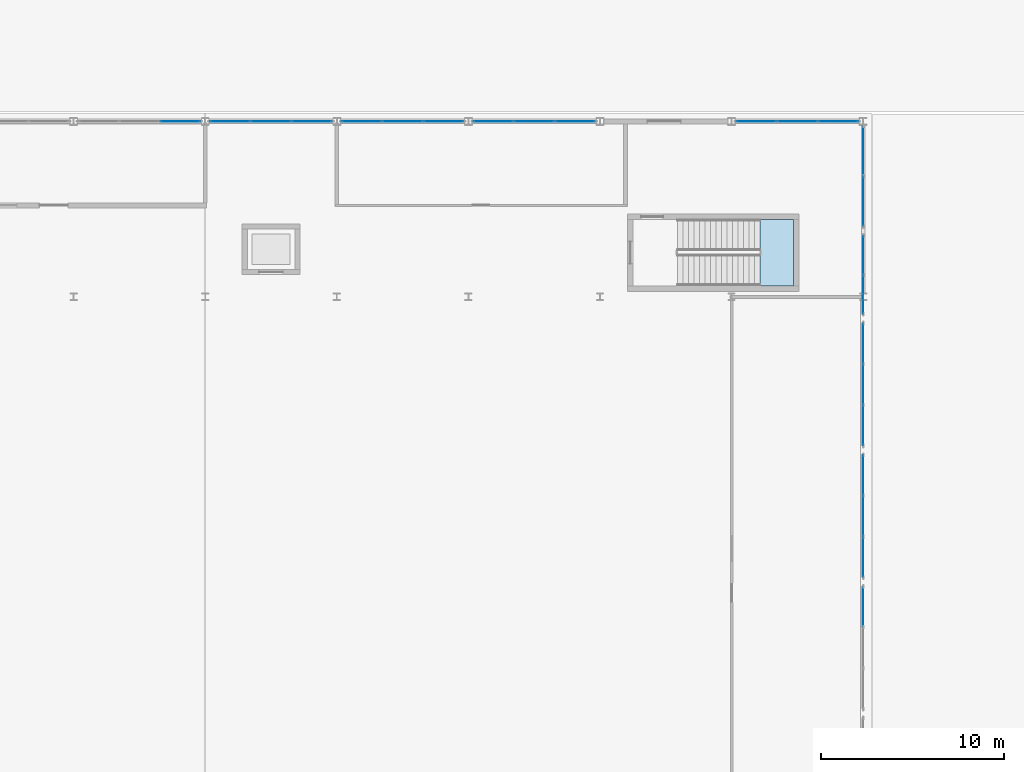
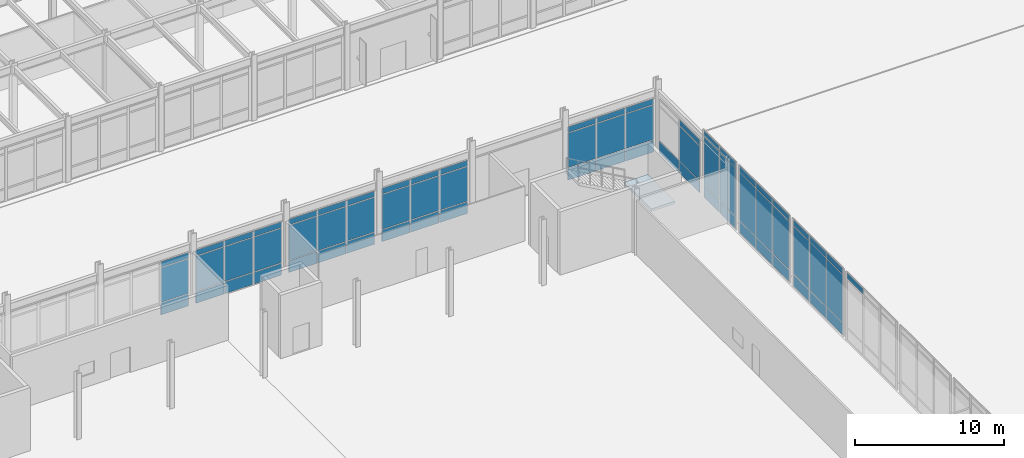
# One storey, part 60 of 104: 68 plates, 1 slab, 11 elements without a shape of their own.
"""IFC4 building model written with IfcOpenShell, lengths in metres."""

from ifc_helpers import new_model, si_unit, direction, frame, origin, origin_2d, place, context, subcontext, project, spatial, polyline, rectangle, outline, extrude, material, layer, layer_set, type_object, element, aggregate, save


model = new_model("IFC4")

# Units and contexts
model_context = context("Model", 3, precision=1e-05, world=origin(), true_north=direction((0.0, 1.0)))
body_context = subcontext(model_context, "Body", "Model", "MODEL_VIEW")
ifc_project = project(units=[si_unit("LENGTHUNIT", "METRE"), si_unit("AREAUNIT", "SQUARE_METRE"), si_unit("VOLUMEUNIT", "CUBIC_METRE"), si_unit("PLANEANGLEUNIT", "RADIAN"), si_unit("MASSUNIT", "GRAM", prefix="KILO")], contexts=[model_context])

# Site, building, storey
site_placement = place(None, origin())
site = spatial("IfcSite", under=ifc_project, at=site_placement, CompositionType="ELEMENT")
building_placement = place(site_placement, origin())
building = spatial("IfcBuilding", under=site, at=building_placement, Name="Vaelcorin Mobility Hub", CompositionType="ELEMENT")
storey_placement = place(building_placement, origin())
storey = spatial("IfcBuildingStorey", under=building, at=storey_placement, Name="L00", CompositionType="ELEMENT", Elevation=0.0)

# Curtain wall, plates
ifc_material_1 = material(Name="Anodised aluminium 6063-T6", Category="aluminium")
curtain_wall_type = type_object("IfcCurtainWallType", Name="CW-CONC-B", PredefinedType="NOTDEFINED", material=ifc_material_1)
curtain_wall_1_placement = place(storey_placement, origin())
curtain_wall_1 = element("IfcCurtainWall", 1, at=curtain_wall_1_placement, inside=storey, type_object=curtain_wall_type, Name="L00 Curtain Wall CW-V1-N-05", PredefinedType="NOTDEFINED")
ifc_material_2 = material(Name="Low-E solar-control insulated glazing", Category="glass")
ifc_layer_1 = layer(ifc_material_2, 0.031982421875)
ifc_layer_set_1 = layer_set([ifc_layer_1], Name="Low-E solar-control insulated glazing")
plate_type = type_object("IfcPlateType", Name="CW-PAN-GLZ32", PredefinedType="CURTAIN_PANEL", material=ifc_layer_set_1)
plate_1_placement = place(storey_placement, frame((70.638427734375, 60.0, 0.06005859375), z_axis=(0.0, 0.0, 1.0), x_axis=(1.0, 0.0, 0.0)))
plate_1 = element("IfcPlate", 2, at=plate_1_placement, type_object=plate_type, Name="CW2 panel 3.1", PredefinedType="CURTAIN_PANEL", context=body_context, shape_type="SweptSolid", body=[
    extrude(rectangle(XDim=2.163330078125, YDim=0.028076171875, at=origin_2d()), origin(), (0.0, 0.0, 1.0), 0.9599609375),
])
plate_2_placement = place(storey_placement, frame((70.638427734375, 60.0, 1.080078125), z_axis=(0.0, 0.0, 1.0), x_axis=(1.0, 0.0, 0.0)))
plate_2 = element("IfcPlate", 3, at=plate_2_placement, type_object=plate_type, Name="CW2 panel 3.2", PredefinedType="CURTAIN_PANEL", context=body_context, shape_type="SweptSolid", body=[
    extrude(rectangle(XDim=2.163330078125, YDim=0.028076171875, at=origin_2d()), origin(), (0.0, 0.0, 1.0), 2.822021484375),
])
plate_3_placement = place(storey_placement, frame((70.638427734375, 60.0, 3.9619140625), z_axis=(0.0, 0.0, 1.0), x_axis=(1.0, 0.0, 0.0)))
plate_3 = element("IfcPlate", 4, at=plate_3_placement, type_object=plate_type, Name="CW2 panel 3.3", PredefinedType="CURTAIN_PANEL", context=body_context, shape_type="SweptSolid", body=[
    extrude(rectangle(XDim=2.163330078125, YDim=0.028076171875, at=origin_2d()), origin(), (0.0, 0.0, 1.0), 0.4599609375),
])
aggregate(curtain_wall_1, [plate_1, plate_2, plate_3])

curtain_wall_2_placement = place(storey_placement, origin())
curtain_wall_2 = element("IfcCurtainWall", 5, at=curtain_wall_2_placement, inside=storey, type_object=curtain_wall_type, Name="L00 Curtain Wall CW-V1-N-06", PredefinedType="NOTDEFINED")
plate_4_placement = place(storey_placement, frame((73.361572265625, 60.0, 0.06005859375), z_axis=(0.0, 0.0, 1.0), x_axis=(1.0, 0.0, 0.0)))
plate_4 = element("IfcPlate", 6, at=plate_4_placement, type_object=plate_type, Name="CW2 panel 1.1", PredefinedType="CURTAIN_PANEL", context=body_context, shape_type="SweptSolid", body=[
    extrude(rectangle(XDim=2.163330078125, YDim=0.028076171875, at=origin_2d()), origin(), (0.0, 0.0, 1.0), 0.9599609375),
])
plate_5_placement = place(storey_placement, frame((73.361572265625, 60.0, 1.080078125), z_axis=(0.0, 0.0, 1.0), x_axis=(1.0, 0.0, 0.0)))
plate_5 = element("IfcPlate", 7, at=plate_5_placement, type_object=plate_type, Name="CW2 panel 1.2", PredefinedType="CURTAIN_PANEL", context=body_context, shape_type="SweptSolid", body=[
    extrude(rectangle(XDim=2.163330078125, YDim=0.028076171875, at=origin_2d()), origin(), (0.0, 0.0, 1.0), 2.822021484375),
])
plate_6_placement = place(storey_placement, frame((73.361572265625, 60.0, 3.9619140625), z_axis=(0.0, 0.0, 1.0), x_axis=(1.0, 0.0, 0.0)))
plate_6 = element("IfcPlate", 8, at=plate_6_placement, type_object=plate_type, Name="CW2 panel 1.3", PredefinedType="CURTAIN_PANEL", context=body_context, shape_type="SweptSolid", body=[
    extrude(rectangle(XDim=2.163330078125, YDim=0.028076171875, at=origin_2d()), origin(), (0.0, 0.0, 1.0), 0.4599609375),
])
plate_7_placement = place(storey_placement, frame((75.60009765625, 60.0, 0.06005859375), z_axis=(0.0, 0.0, 1.0), x_axis=(1.0, 0.0, 0.0)))
plate_7 = element("IfcPlate", 9, at=plate_7_placement, type_object=plate_type, Name="CW2 panel 2.1", PredefinedType="CURTAIN_PANEL", context=body_context, shape_type="SweptSolid", body=[
    extrude(rectangle(XDim=2.193359375, YDim=0.028076171875, at=origin_2d()), origin(), (0.0, 0.0, 1.0), 0.9599609375),
])
plate_8_placement = place(storey_placement, frame((75.60009765625, 60.0, 1.080078125), z_axis=(0.0, 0.0, 1.0), x_axis=(1.0, 0.0, 0.0)))
plate_8 = element("IfcPlate", 10, at=plate_8_placement, type_object=plate_type, Name="CW2 panel 2.2", PredefinedType="CURTAIN_PANEL", context=body_context, shape_type="SweptSolid", body=[
    extrude(rectangle(XDim=2.193359375, YDim=0.028076171875, at=origin_2d()), origin(), (0.0, 0.0, 1.0), 2.822021484375),
])
plate_9_placement = place(storey_placement, frame((75.60009765625, 60.0, 3.9619140625), z_axis=(0.0, 0.0, 1.0), x_axis=(1.0, 0.0, 0.0)))
plate_9 = element("IfcPlate", 11, at=plate_9_placement, type_object=plate_type, Name="CW2 panel 2.3", PredefinedType="CURTAIN_PANEL", context=body_context, shape_type="SweptSolid", body=[
    extrude(rectangle(XDim=2.193359375, YDim=0.028076171875, at=origin_2d()), origin(), (0.0, 0.0, 1.0), 0.4599609375),
])
plate_10_placement = place(storey_placement, frame((77.83837890625, 60.0, 0.06005859375), z_axis=(0.0, 0.0, 1.0), x_axis=(1.0, 0.0, 0.0)))
plate_10 = element("IfcPlate", 12, at=plate_10_placement, type_object=plate_type, Name="CW2 panel 3.1", PredefinedType="CURTAIN_PANEL", context=body_context, shape_type="SweptSolid", body=[
    extrude(rectangle(XDim=2.163330078125, YDim=0.028076171875, at=origin_2d()), origin(), (0.0, 0.0, 1.0), 0.9599609375),
])
plate_11_placement = place(storey_placement, frame((77.83837890625, 60.0, 1.080078125), z_axis=(0.0, 0.0, 1.0), x_axis=(1.0, 0.0, 0.0)))
plate_11 = element("IfcPlate", 13, at=plate_11_placement, type_object=plate_type, Name="CW2 panel 3.2", PredefinedType="CURTAIN_PANEL", context=body_context, shape_type="SweptSolid", body=[
    extrude(rectangle(XDim=2.163330078125, YDim=0.028076171875, at=origin_2d()), origin(), (0.0, 0.0, 1.0), 2.822021484375),
])
plate_12_placement = place(storey_placement, frame((77.83837890625, 60.0, 3.9619140625), z_axis=(0.0, 0.0, 1.0), x_axis=(1.0, 0.0, 0.0)))
plate_12 = element("IfcPlate", 14, at=plate_12_placement, type_object=plate_type, Name="CW2 panel 3.3", PredefinedType="CURTAIN_PANEL", context=body_context, shape_type="SweptSolid", body=[
    extrude(rectangle(XDim=2.163330078125, YDim=0.028076171875, at=origin_2d()), origin(), (0.0, 0.0, 1.0), 0.4599609375),
])
aggregate(curtain_wall_2, [plate_4, plate_5, plate_6, plate_7, plate_8, plate_9, plate_10, plate_11, plate_12])

curtain_wall_3_placement = place(storey_placement, origin())
curtain_wall_3 = element("IfcCurtainWall", 15, at=curtain_wall_3_placement, inside=storey, type_object=curtain_wall_type, Name="L00 Curtain Wall CW-V1-N-07", PredefinedType="NOTDEFINED")
plate_13_placement = place(storey_placement, frame((80.561767578125, 60.0, 0.06005859375), z_axis=(0.0, 0.0, 1.0), x_axis=(1.0, 0.0, 0.0)))
plate_13 = element("IfcPlate", 16, at=plate_13_placement, type_object=plate_type, Name="CW2 panel 1.1", PredefinedType="CURTAIN_PANEL", context=body_context, shape_type="SweptSolid", body=[
    extrude(rectangle(XDim=2.163330078125, YDim=0.028076171875, at=origin_2d()), origin(), (0.0, 0.0, 1.0), 0.9599609375),
])
plate_14_placement = place(storey_placement, frame((80.561767578125, 60.0, 1.080078125), z_axis=(0.0, 0.0, 1.0), x_axis=(1.0, 0.0, 0.0)))
plate_14 = element("IfcPlate", 17, at=plate_14_placement, type_object=plate_type, Name="CW2 panel 1.2", PredefinedType="CURTAIN_PANEL", context=body_context, shape_type="SweptSolid", body=[
    extrude(rectangle(XDim=2.163330078125, YDim=0.028076171875, at=origin_2d()), origin(), (0.0, 0.0, 1.0), 2.822021484375),
])
plate_15_placement = place(storey_placement, frame((80.561767578125, 60.0, 3.9619140625), z_axis=(0.0, 0.0, 1.0), x_axis=(1.0, 0.0, 0.0)))
plate_15 = element("IfcPlate", 18, at=plate_15_placement, type_object=plate_type, Name="CW2 panel 1.3", PredefinedType="CURTAIN_PANEL", context=body_context, shape_type="SweptSolid", body=[
    extrude(rectangle(XDim=2.163330078125, YDim=0.028076171875, at=origin_2d()), origin(), (0.0, 0.0, 1.0), 0.4599609375),
])
plate_16_placement = place(storey_placement, frame((82.800048828125, 60.0, 0.06005859375), z_axis=(0.0, 0.0, 1.0), x_axis=(1.0, 0.0, 0.0)))
plate_16 = element("IfcPlate", 19, at=plate_16_placement, type_object=plate_type, Name="CW2 panel 2.1", PredefinedType="CURTAIN_PANEL", context=body_context, shape_type="SweptSolid", body=[
    extrude(rectangle(XDim=2.193359375, YDim=0.028076171875, at=origin_2d()), origin(), (0.0, 0.0, 1.0), 0.9599609375),
])
plate_17_placement = place(storey_placement, frame((82.800048828125, 60.0, 1.080078125), z_axis=(0.0, 0.0, 1.0), x_axis=(1.0, 0.0, 0.0)))
plate_17 = element("IfcPlate", 20, at=plate_17_placement, type_object=plate_type, Name="CW2 panel 2.2", PredefinedType="CURTAIN_PANEL", context=body_context, shape_type="SweptSolid", body=[
    extrude(rectangle(XDim=2.193359375, YDim=0.028076171875, at=origin_2d()), origin(), (0.0, 0.0, 1.0), 2.822021484375),
])
plate_18_placement = place(storey_placement, frame((82.800048828125, 60.0, 3.9619140625), z_axis=(0.0, 0.0, 1.0), x_axis=(1.0, 0.0, 0.0)))
plate_18 = element("IfcPlate", 21, at=plate_18_placement, type_object=plate_type, Name="CW2 panel 2.3", PredefinedType="CURTAIN_PANEL", context=body_context, shape_type="SweptSolid", body=[
    extrude(rectangle(XDim=2.193359375, YDim=0.028076171875, at=origin_2d()), origin(), (0.0, 0.0, 1.0), 0.4599609375),
])
plate_19_placement = place(storey_placement, frame((85.038330078125, 60.0, 0.06005859375), z_axis=(0.0, 0.0, 1.0), x_axis=(1.0, 0.0, 0.0)))
plate_19 = element("IfcPlate", 22, at=plate_19_placement, type_object=plate_type, Name="CW2 panel 3.1", PredefinedType="CURTAIN_PANEL", context=body_context, shape_type="SweptSolid", body=[
    extrude(rectangle(XDim=2.163330078125, YDim=0.028076171875, at=origin_2d()), origin(), (0.0, 0.0, 1.0), 0.9599609375),
])
plate_20_placement = place(storey_placement, frame((85.038330078125, 60.0, 1.080078125), z_axis=(0.0, 0.0, 1.0), x_axis=(1.0, 0.0, 0.0)))
plate_20 = element("IfcPlate", 23, at=plate_20_placement, type_object=plate_type, Name="CW2 panel 3.2", PredefinedType="CURTAIN_PANEL", context=body_context, shape_type="SweptSolid", body=[
    extrude(rectangle(XDim=2.163330078125, YDim=0.028076171875, at=origin_2d()), origin(), (0.0, 0.0, 1.0), 2.822021484375),
])
plate_21_placement = place(storey_placement, frame((85.038330078125, 60.0, 3.9619140625), z_axis=(0.0, 0.0, 1.0), x_axis=(1.0, 0.0, 0.0)))
plate_21 = element("IfcPlate", 24, at=plate_21_placement, type_object=plate_type, Name="CW2 panel 3.3", PredefinedType="CURTAIN_PANEL", context=body_context, shape_type="SweptSolid", body=[
    extrude(rectangle(XDim=2.163330078125, YDim=0.028076171875, at=origin_2d()), origin(), (0.0, 0.0, 1.0), 0.4599609375),
])
aggregate(curtain_wall_3, [plate_13, plate_14, plate_15, plate_16, plate_17, plate_18, plate_19, plate_20, plate_21])

curtain_wall_4_placement = place(storey_placement, origin())
curtain_wall_4 = element("IfcCurtainWall", 25, at=curtain_wall_4_placement, inside=storey, type_object=curtain_wall_type, Name="L00 Curtain Wall CW-V1-N-08", PredefinedType="NOTDEFINED")
plate_22_placement = place(storey_placement, frame((87.76171875, 60.0, 0.06005859375), z_axis=(0.0, 0.0, 1.0), x_axis=(1.0, 0.0, 0.0)))
plate_22 = element("IfcPlate", 26, at=plate_22_placement, type_object=plate_type, Name="CW2 panel 1.1", PredefinedType="CURTAIN_PANEL", context=body_context, shape_type="SweptSolid", body=[
    extrude(rectangle(XDim=2.163330078125, YDim=0.028076171875, at=origin_2d()), origin(), (0.0, 0.0, 1.0), 0.9599609375),
])
plate_23_placement = place(storey_placement, frame((87.76171875, 60.0, 1.080078125), z_axis=(0.0, 0.0, 1.0), x_axis=(1.0, 0.0, 0.0)))
plate_23 = element("IfcPlate", 27, at=plate_23_placement, type_object=plate_type, Name="CW2 panel 1.2", PredefinedType="CURTAIN_PANEL", context=body_context, shape_type="SweptSolid", body=[
    extrude(rectangle(XDim=2.163330078125, YDim=0.028076171875, at=origin_2d()), origin(), (0.0, 0.0, 1.0), 2.822021484375),
])
plate_24_placement = place(storey_placement, frame((87.76171875, 60.0, 3.9619140625), z_axis=(0.0, 0.0, 1.0), x_axis=(1.0, 0.0, 0.0)))
plate_24 = element("IfcPlate", 28, at=plate_24_placement, type_object=plate_type, Name="CW2 panel 1.3", PredefinedType="CURTAIN_PANEL", context=body_context, shape_type="SweptSolid", body=[
    extrude(rectangle(XDim=2.163330078125, YDim=0.028076171875, at=origin_2d()), origin(), (0.0, 0.0, 1.0), 0.4599609375),
])
plate_25_placement = place(storey_placement, frame((90.0, 60.0, 0.06005859375), z_axis=(0.0, 0.0, 1.0), x_axis=(1.0, 0.0, 0.0)))
plate_25 = element("IfcPlate", 29, at=plate_25_placement, type_object=plate_type, Name="CW2 panel 2.1", PredefinedType="CURTAIN_PANEL", context=body_context, shape_type="SweptSolid", body=[
    extrude(rectangle(XDim=2.193359375, YDim=0.028076171875, at=origin_2d()), origin(), (0.0, 0.0, 1.0), 0.9599609375),
])
plate_26_placement = place(storey_placement, frame((90.0, 60.0, 1.080078125), z_axis=(0.0, 0.0, 1.0), x_axis=(1.0, 0.0, 0.0)))
plate_26 = element("IfcPlate", 30, at=plate_26_placement, type_object=plate_type, Name="CW2 panel 2.2", PredefinedType="CURTAIN_PANEL", context=body_context, shape_type="SweptSolid", body=[
    extrude(rectangle(XDim=2.193359375, YDim=0.028076171875, at=origin_2d()), origin(), (0.0, 0.0, 1.0), 2.822021484375),
])
plate_27_placement = place(storey_placement, frame((90.0, 60.0, 3.9619140625), z_axis=(0.0, 0.0, 1.0), x_axis=(1.0, 0.0, 0.0)))
plate_27 = element("IfcPlate", 31, at=plate_27_placement, type_object=plate_type, Name="CW2 panel 2.3", PredefinedType="CURTAIN_PANEL", context=body_context, shape_type="SweptSolid", body=[
    extrude(rectangle(XDim=2.193359375, YDim=0.028076171875, at=origin_2d()), origin(), (0.0, 0.0, 1.0), 0.4599609375),
])
plate_28_placement = place(storey_placement, frame((92.23828125, 60.0, 0.06005859375), z_axis=(0.0, 0.0, 1.0), x_axis=(1.0, 0.0, 0.0)))
plate_28 = element("IfcPlate", 32, at=plate_28_placement, type_object=plate_type, Name="CW2 panel 3.1", PredefinedType="CURTAIN_PANEL", context=body_context, shape_type="SweptSolid", body=[
    extrude(rectangle(XDim=2.163330078125, YDim=0.028076171875, at=origin_2d()), origin(), (0.0, 0.0, 1.0), 0.9599609375),
])
plate_29_placement = place(storey_placement, frame((92.23828125, 60.0, 1.080078125), z_axis=(0.0, 0.0, 1.0), x_axis=(1.0, 0.0, 0.0)))
plate_29 = element("IfcPlate", 33, at=plate_29_placement, type_object=plate_type, Name="CW2 panel 3.2", PredefinedType="CURTAIN_PANEL", context=body_context, shape_type="SweptSolid", body=[
    extrude(rectangle(XDim=2.163330078125, YDim=0.028076171875, at=origin_2d()), origin(), (0.0, 0.0, 1.0), 2.822021484375),
])
plate_30_placement = place(storey_placement, frame((92.23828125, 60.0, 3.9619140625), z_axis=(0.0, 0.0, 1.0), x_axis=(1.0, 0.0, 0.0)))
plate_30 = element("IfcPlate", 34, at=plate_30_placement, type_object=plate_type, Name="CW2 panel 3.3", PredefinedType="CURTAIN_PANEL", context=body_context, shape_type="SweptSolid", body=[
    extrude(rectangle(XDim=2.163330078125, YDim=0.028076171875, at=origin_2d()), origin(), (0.0, 0.0, 1.0), 0.4599609375),
])
aggregate(curtain_wall_4, [plate_22, plate_23, plate_24, plate_25, plate_26, plate_27, plate_28, plate_29, plate_30])

curtain_wall_5_placement = place(storey_placement, origin())
curtain_wall_5 = element("IfcCurtainWall", 35, at=curtain_wall_5_placement, inside=storey, type_object=curtain_wall_type, Name="L00 Curtain Wall CW-V1-N-10", PredefinedType="NOTDEFINED")
plate_31_placement = place(storey_placement, frame((102.16162109375, 60.0, 0.06005859375), z_axis=(0.0, 0.0, 1.0), x_axis=(1.0, 0.0, 0.0)))
plate_31 = element("IfcPlate", 36, at=plate_31_placement, type_object=plate_type, Name="CW2 panel 1.1", PredefinedType="CURTAIN_PANEL", context=body_context, shape_type="SweptSolid", body=[
    extrude(rectangle(XDim=2.163330078125, YDim=0.028076171875, at=origin_2d()), origin(), (0.0, 0.0, 1.0), 0.9599609375),
])
plate_32_placement = place(storey_placement, frame((102.16162109375, 60.0, 1.080078125), z_axis=(0.0, 0.0, 1.0), x_axis=(1.0, 0.0, 0.0)))
plate_32 = element("IfcPlate", 37, at=plate_32_placement, type_object=plate_type, Name="CW2 panel 1.2", PredefinedType="CURTAIN_PANEL", context=body_context, shape_type="SweptSolid", body=[
    extrude(rectangle(XDim=2.163330078125, YDim=0.028076171875, at=origin_2d()), origin(), (0.0, 0.0, 1.0), 2.822021484375),
])
plate_33_placement = place(storey_placement, frame((102.16162109375, 60.0, 3.9619140625), z_axis=(0.0, 0.0, 1.0), x_axis=(1.0, 0.0, 0.0)))
plate_33 = element("IfcPlate", 38, at=plate_33_placement, type_object=plate_type, Name="CW2 panel 1.3", PredefinedType="CURTAIN_PANEL", context=body_context, shape_type="SweptSolid", body=[
    extrude(rectangle(XDim=2.163330078125, YDim=0.028076171875, at=origin_2d()), origin(), (0.0, 0.0, 1.0), 0.4599609375),
])
plate_34_placement = place(storey_placement, frame((104.39990234375, 60.0, 0.06005859375), z_axis=(0.0, 0.0, 1.0), x_axis=(1.0, 0.0, 0.0)))
plate_34 = element("IfcPlate", 39, at=plate_34_placement, type_object=plate_type, Name="CW2 panel 2.1", PredefinedType="CURTAIN_PANEL", context=body_context, shape_type="SweptSolid", body=[
    extrude(rectangle(XDim=2.193359375, YDim=0.028076171875, at=origin_2d()), origin(), (0.0, 0.0, 1.0), 0.9599609375),
])
plate_35_placement = place(storey_placement, frame((104.39990234375, 60.0, 1.080078125), z_axis=(0.0, 0.0, 1.0), x_axis=(1.0, 0.0, 0.0)))
plate_35 = element("IfcPlate", 40, at=plate_35_placement, type_object=plate_type, Name="CW2 panel 2.2", PredefinedType="CURTAIN_PANEL", context=body_context, shape_type="SweptSolid", body=[
    extrude(rectangle(XDim=2.193359375, YDim=0.028076171875, at=origin_2d()), origin(), (0.0, 0.0, 1.0), 2.822021484375),
])
plate_36_placement = place(storey_placement, frame((104.39990234375, 60.0, 3.9619140625), z_axis=(0.0, 0.0, 1.0), x_axis=(1.0, 0.0, 0.0)))
plate_36 = element("IfcPlate", 41, at=plate_36_placement, type_object=plate_type, Name="CW2 panel 2.3", PredefinedType="CURTAIN_PANEL", context=body_context, shape_type="SweptSolid", body=[
    extrude(rectangle(XDim=2.193359375, YDim=0.028076171875, at=origin_2d()), origin(), (0.0, 0.0, 1.0), 0.4599609375),
])
plate_37_placement = place(storey_placement, frame((106.638427734375, 60.0, 0.06005859375), z_axis=(0.0, 0.0, 1.0), x_axis=(1.0, 0.0, 0.0)))
plate_37 = element("IfcPlate", 42, at=plate_37_placement, type_object=plate_type, Name="CW2 panel 3.1", PredefinedType="CURTAIN_PANEL", context=body_context, shape_type="SweptSolid", body=[
    extrude(rectangle(XDim=2.163330078125, YDim=0.028076171875, at=origin_2d()), origin(), (0.0, 0.0, 1.0), 0.9599609375),
])
plate_38_placement = place(storey_placement, frame((106.638427734375, 60.0, 1.080078125), z_axis=(0.0, 0.0, 1.0), x_axis=(1.0, 0.0, 0.0)))
plate_38 = element("IfcPlate", 43, at=plate_38_placement, type_object=plate_type, Name="CW2 panel 3.2", PredefinedType="CURTAIN_PANEL", context=body_context, shape_type="SweptSolid", body=[
    extrude(rectangle(XDim=2.163330078125, YDim=0.028076171875, at=origin_2d()), origin(), (0.0, 0.0, 1.0), 2.822021484375),
])
plate_39_placement = place(storey_placement, frame((106.638427734375, 60.0, 3.9619140625), z_axis=(0.0, 0.0, 1.0), x_axis=(1.0, 0.0, 0.0)))
plate_39 = element("IfcPlate", 44, at=plate_39_placement, type_object=plate_type, Name="CW2 panel 3.3", PredefinedType="CURTAIN_PANEL", context=body_context, shape_type="SweptSolid", body=[
    extrude(rectangle(XDim=2.163330078125, YDim=0.028076171875, at=origin_2d()), origin(), (0.0, 0.0, 1.0), 0.4599609375),
])
aggregate(curtain_wall_5, [plate_31, plate_32, plate_33, plate_34, plate_35, plate_36, plate_37, plate_38, plate_39])

# Curtain wall, plate
curtain_wall_6_placement = place(storey_placement, origin())
curtain_wall_6 = element("IfcCurtainWall", 45, at=curtain_wall_6_placement, inside=storey, type_object=curtain_wall_type, Name="L00 Curtain Wall CW-V1-E-04", PredefinedType="NOTDEFINED")
plate_40_placement = place(storey_placement, frame((108.0, 33.438232421875, 5.06005859375), z_axis=(0.0, 0.0, 1.0), x_axis=(0.0, -1.0, 0.0)))
plate_40 = element("IfcPlate", 46, at=plate_40_placement, type_object=plate_type, Name="CW2 panel 1.3", PredefinedType="CURTAIN_PANEL", context=body_context, shape_type="SweptSolid", body=[
    extrude(rectangle(XDim=2.163330078125, YDim=0.028076171875, at=origin_2d()), origin(), (0.0, 0.0, 1.0), 0.4599609375),
])
aggregate(curtain_wall_6, [plate_40])

# Curtain wall, plates
curtain_wall_7_placement = place(storey_placement, origin())
curtain_wall_7 = element("IfcCurtainWall", 47, at=curtain_wall_7_placement, inside=storey, type_object=curtain_wall_type, Name="L00 Curtain Wall CW-V1-E-05", PredefinedType="NOTDEFINED")
plate_41_placement = place(storey_placement, frame((108.0, 40.638427734375, 0.06005859375), z_axis=(0.0, 0.0, 1.0), x_axis=(0.0, -1.0, 0.0)))
plate_41 = element("IfcPlate", 48, at=plate_41_placement, type_object=plate_type, Name="CW2 panel 1.1", PredefinedType="CURTAIN_PANEL", context=body_context, shape_type="SweptSolid", body=[
    extrude(rectangle(XDim=2.163330078125, YDim=0.028076171875, at=origin_2d()), origin(), (0.0, 0.0, 1.0), 0.9599609375),
])
plate_42_placement = place(storey_placement, frame((108.0, 40.638427734375, 1.080078125), z_axis=(0.0, 0.0, 1.0), x_axis=(0.0, -1.0, 0.0)))
plate_42 = element("IfcPlate", 49, at=plate_42_placement, type_object=plate_type, Name="CW2 panel 1.2", PredefinedType="CURTAIN_PANEL", context=body_context, shape_type="SweptSolid", body=[
    extrude(rectangle(XDim=2.163330078125, YDim=0.028076171875, at=origin_2d()), origin(), (0.0, 0.0, 1.0), 3.919921875),
])
plate_43_placement = place(storey_placement, frame((108.0, 40.638427734375, 5.06005859375), z_axis=(0.0, 0.0, 1.0), x_axis=(0.0, -1.0, 0.0)))
plate_43 = element("IfcPlate", 50, at=plate_43_placement, type_object=plate_type, Name="CW2 panel 1.3", PredefinedType="CURTAIN_PANEL", context=body_context, shape_type="SweptSolid", body=[
    extrude(rectangle(XDim=2.163330078125, YDim=0.028076171875, at=origin_2d()), origin(), (0.0, 0.0, 1.0), 0.4599609375),
])
plate_44_placement = place(storey_placement, frame((108.0, 38.39990234375, 0.06005859375), z_axis=(0.0, 0.0, 1.0), x_axis=(0.0, -1.0, 0.0)))
plate_44 = element("IfcPlate", 51, at=plate_44_placement, type_object=plate_type, Name="CW2 panel 2.1", PredefinedType="CURTAIN_PANEL", context=body_context, shape_type="SweptSolid", body=[
    extrude(rectangle(XDim=2.193359375, YDim=0.028076171875, at=origin_2d()), origin(), (0.0, 0.0, 1.0), 0.9599609375),
])
plate_45_placement = place(storey_placement, frame((108.0, 38.39990234375, 1.080078125), z_axis=(0.0, 0.0, 1.0), x_axis=(0.0, -1.0, 0.0)))
plate_45 = element("IfcPlate", 52, at=plate_45_placement, type_object=plate_type, Name="CW2 panel 2.2", PredefinedType="CURTAIN_PANEL", context=body_context, shape_type="SweptSolid", body=[
    extrude(rectangle(XDim=2.193359375, YDim=0.028076171875, at=origin_2d()), origin(), (0.0, 0.0, 1.0), 3.919921875),
])
plate_46_placement = place(storey_placement, frame((108.0, 38.39990234375, 5.06005859375), z_axis=(0.0, 0.0, 1.0), x_axis=(0.0, -1.0, 0.0)))
plate_46 = element("IfcPlate", 53, at=plate_46_placement, type_object=plate_type, Name="CW2 panel 2.3", PredefinedType="CURTAIN_PANEL", context=body_context, shape_type="SweptSolid", body=[
    extrude(rectangle(XDim=2.193359375, YDim=0.028076171875, at=origin_2d()), origin(), (0.0, 0.0, 1.0), 0.4599609375),
])
plate_47_placement = place(storey_placement, frame((108.0, 36.16162109375, 0.06005859375), z_axis=(0.0, 0.0, 1.0), x_axis=(0.0, -1.0, 0.0)))
plate_47 = element("IfcPlate", 54, at=plate_47_placement, type_object=plate_type, Name="CW2 panel 3.1", PredefinedType="CURTAIN_PANEL", context=body_context, shape_type="SweptSolid", body=[
    extrude(rectangle(XDim=2.163330078125, YDim=0.028076171875, at=origin_2d()), origin(), (0.0, 0.0, 1.0), 0.9599609375),
])
plate_48_placement = place(storey_placement, frame((108.0, 36.16162109375, 1.080078125), z_axis=(0.0, 0.0, 1.0), x_axis=(0.0, -1.0, 0.0)))
plate_48 = element("IfcPlate", 55, at=plate_48_placement, type_object=plate_type, Name="CW2 panel 3.2", PredefinedType="CURTAIN_PANEL", context=body_context, shape_type="SweptSolid", body=[
    extrude(rectangle(XDim=2.163330078125, YDim=0.028076171875, at=origin_2d()), origin(), (0.0, 0.0, 1.0), 3.919921875),
])
plate_49_placement = place(storey_placement, frame((108.0, 36.16162109375, 5.06005859375), z_axis=(0.0, 0.0, 1.0), x_axis=(0.0, -1.0, 0.0)))
plate_49 = element("IfcPlate", 56, at=plate_49_placement, type_object=plate_type, Name="CW2 panel 3.3", PredefinedType="CURTAIN_PANEL", context=body_context, shape_type="SweptSolid", body=[
    extrude(rectangle(XDim=2.163330078125, YDim=0.028076171875, at=origin_2d()), origin(), (0.0, 0.0, 1.0), 0.4599609375),
])
aggregate(curtain_wall_7, [plate_41, plate_42, plate_43, plate_44, plate_45, plate_46, plate_47, plate_48, plate_49])

curtain_wall_8_placement = place(storey_placement, origin())
curtain_wall_8 = element("IfcCurtainWall", 57, at=curtain_wall_8_placement, inside=storey, type_object=curtain_wall_type, Name="L00 Curtain Wall CW-V1-E-06", PredefinedType="NOTDEFINED")
plate_50_placement = place(storey_placement, frame((108.0, 47.83837890625, 0.06005859375), z_axis=(0.0, 0.0, 1.0), x_axis=(0.0, -1.0, 0.0)))
plate_50 = element("IfcPlate", 58, at=plate_50_placement, type_object=plate_type, Name="CW2 panel 1.1", PredefinedType="CURTAIN_PANEL", context=body_context, shape_type="SweptSolid", body=[
    extrude(rectangle(XDim=2.163330078125, YDim=0.028076171875, at=origin_2d()), origin(), (0.0, 0.0, 1.0), 0.9599609375),
])
plate_51_placement = place(storey_placement, frame((108.0, 47.83837890625, 1.080078125), z_axis=(0.0, 0.0, 1.0), x_axis=(0.0, -1.0, 0.0)))
plate_51 = element("IfcPlate", 59, at=plate_51_placement, type_object=plate_type, Name="CW2 panel 1.2", PredefinedType="CURTAIN_PANEL", context=body_context, shape_type="SweptSolid", body=[
    extrude(rectangle(XDim=2.163330078125, YDim=0.028076171875, at=origin_2d()), origin(), (0.0, 0.0, 1.0), 3.919921875),
])
plate_52_placement = place(storey_placement, frame((108.0, 47.83837890625, 5.06005859375), z_axis=(0.0, 0.0, 1.0), x_axis=(0.0, -1.0, 0.0)))
plate_52 = element("IfcPlate", 60, at=plate_52_placement, type_object=plate_type, Name="CW2 panel 1.3", PredefinedType="CURTAIN_PANEL", context=body_context, shape_type="SweptSolid", body=[
    extrude(rectangle(XDim=2.163330078125, YDim=0.028076171875, at=origin_2d()), origin(), (0.0, 0.0, 1.0), 0.4599609375),
])
plate_53_placement = place(storey_placement, frame((108.0, 45.60009765625, 0.06005859375), z_axis=(0.0, 0.0, 1.0), x_axis=(0.0, -1.0, 0.0)))
plate_53 = element("IfcPlate", 61, at=plate_53_placement, type_object=plate_type, Name="CW2 panel 2.1", PredefinedType="CURTAIN_PANEL", context=body_context, shape_type="SweptSolid", body=[
    extrude(rectangle(XDim=2.193359375, YDim=0.028076171875, at=origin_2d()), origin(), (0.0, 0.0, 1.0), 0.9599609375),
])
plate_54_placement = place(storey_placement, frame((108.0, 45.60009765625, 1.080078125), z_axis=(0.0, 0.0, 1.0), x_axis=(0.0, -1.0, 0.0)))
plate_54 = element("IfcPlate", 62, at=plate_54_placement, type_object=plate_type, Name="CW2 panel 2.2", PredefinedType="CURTAIN_PANEL", context=body_context, shape_type="SweptSolid", body=[
    extrude(rectangle(XDim=2.193359375, YDim=0.028076171875, at=origin_2d()), origin(), (0.0, 0.0, 1.0), 3.919921875),
])
plate_55_placement = place(storey_placement, frame((108.0, 45.60009765625, 5.06005859375), z_axis=(0.0, 0.0, 1.0), x_axis=(0.0, -1.0, 0.0)))
plate_55 = element("IfcPlate", 63, at=plate_55_placement, type_object=plate_type, Name="CW2 panel 2.3", PredefinedType="CURTAIN_PANEL", context=body_context, shape_type="SweptSolid", body=[
    extrude(rectangle(XDim=2.193359375, YDim=0.028076171875, at=origin_2d()), origin(), (0.0, 0.0, 1.0), 0.4599609375),
])
plate_56_placement = place(storey_placement, frame((108.0, 43.361572265625, 0.06005859375), z_axis=(0.0, 0.0, 1.0), x_axis=(0.0, -1.0, 0.0)))
plate_56 = element("IfcPlate", 64, at=plate_56_placement, type_object=plate_type, Name="CW2 panel 3.1", PredefinedType="CURTAIN_PANEL", context=body_context, shape_type="SweptSolid", body=[
    extrude(rectangle(XDim=2.163330078125, YDim=0.028076171875, at=origin_2d()), origin(), (0.0, 0.0, 1.0), 0.9599609375),
])
plate_57_placement = place(storey_placement, frame((108.0, 43.361572265625, 1.080078125), z_axis=(0.0, 0.0, 1.0), x_axis=(0.0, -1.0, 0.0)))
plate_57 = element("IfcPlate", 65, at=plate_57_placement, type_object=plate_type, Name="CW2 panel 3.2", PredefinedType="CURTAIN_PANEL", context=body_context, shape_type="SweptSolid", body=[
    extrude(rectangle(XDim=2.163330078125, YDim=0.028076171875, at=origin_2d()), origin(), (0.0, 0.0, 1.0), 3.919921875),
])
plate_58_placement = place(storey_placement, frame((108.0, 43.361572265625, 5.06005859375), z_axis=(0.0, 0.0, 1.0), x_axis=(0.0, -1.0, 0.0)))
plate_58 = element("IfcPlate", 66, at=plate_58_placement, type_object=plate_type, Name="CW2 panel 3.3", PredefinedType="CURTAIN_PANEL", context=body_context, shape_type="SweptSolid", body=[
    extrude(rectangle(XDim=2.163330078125, YDim=0.028076171875, at=origin_2d()), origin(), (0.0, 0.0, 1.0), 0.4599609375),
])
aggregate(curtain_wall_8, [plate_50, plate_51, plate_52, plate_53, plate_54, plate_55, plate_56, plate_57, plate_58])

curtain_wall_9_placement = place(storey_placement, origin())
curtain_wall_9 = element("IfcCurtainWall", 67, at=curtain_wall_9_placement, inside=storey, type_object=curtain_wall_type, Name="L00 Curtain Wall CW-V1-E-07", PredefinedType="NOTDEFINED")
plate_59_placement = place(storey_placement, frame((108.0, 52.675048828125, 0.06005859375), z_axis=(0.0, 0.0, 1.0), x_axis=(0.0, -1.0, 0.0)))
plate_59 = element("IfcPlate", 68, at=plate_59_placement, type_object=plate_type, Name="CW2 panel 1.1", PredefinedType="CURTAIN_PANEL", context=body_context, shape_type="SweptSolid", body=[
    extrude(rectangle(XDim=2.090087890625, YDim=0.028076171875, at=origin_2d()), origin(), (0.0, 0.0, 1.0), 0.9599609375),
])
plate_60_placement = place(storey_placement, frame((108.0, 52.675048828125, 1.080078125), z_axis=(0.0, 0.0, 1.0), x_axis=(0.0, -1.0, 0.0)))
plate_60 = element("IfcPlate", 69, at=plate_60_placement, type_object=plate_type, Name="CW2 panel 1.2", PredefinedType="CURTAIN_PANEL", context=body_context, shape_type="SweptSolid", body=[
    extrude(rectangle(XDim=2.090087890625, YDim=0.028076171875, at=origin_2d()), origin(), (0.0, 0.0, 1.0), 3.919921875),
])
plate_61_placement = place(storey_placement, frame((108.0, 52.675048828125, 5.06005859375), z_axis=(0.0, 0.0, 1.0), x_axis=(0.0, -1.0, 0.0)))
plate_61 = element("IfcPlate", 70, at=plate_61_placement, type_object=plate_type, Name="CW2 panel 1.3", PredefinedType="CURTAIN_PANEL", context=body_context, shape_type="SweptSolid", body=[
    extrude(rectangle(XDim=2.090087890625, YDim=0.028076171875, at=origin_2d()), origin(), (0.0, 0.0, 1.0), 0.4599609375),
])
plate_62_placement = place(storey_placement, frame((108.0, 50.52490234375, 0.06005859375), z_axis=(0.0, 0.0, 1.0), x_axis=(0.0, -1.0, 0.0)))
plate_62 = element("IfcPlate", 71, at=plate_62_placement, type_object=plate_type, Name="CW2 panel 2.1", PredefinedType="CURTAIN_PANEL", context=body_context, shape_type="SweptSolid", body=[
    extrude(rectangle(XDim=2.090087890625, YDim=0.028076171875, at=origin_2d()), origin(), (0.0, 0.0, 1.0), 0.9599609375),
])
plate_63_placement = place(storey_placement, frame((108.0, 50.52490234375, 1.080078125), z_axis=(0.0, 0.0, 1.0), x_axis=(0.0, -1.0, 0.0)))
plate_63 = element("IfcPlate", 72, at=plate_63_placement, type_object=plate_type, Name="CW2 panel 2.2", PredefinedType="CURTAIN_PANEL", context=body_context, shape_type="SweptSolid", body=[
    extrude(rectangle(XDim=2.090087890625, YDim=0.028076171875, at=origin_2d()), origin(), (0.0, 0.0, 1.0), 3.919921875),
])
plate_64_placement = place(storey_placement, frame((108.0, 50.52490234375, 5.06005859375), z_axis=(0.0, 0.0, 1.0), x_axis=(0.0, -1.0, 0.0)))
plate_64 = element("IfcPlate", 73, at=plate_64_placement, type_object=plate_type, Name="CW2 panel 2.3", PredefinedType="CURTAIN_PANEL", context=body_context, shape_type="SweptSolid", body=[
    extrude(rectangle(XDim=2.090087890625, YDim=0.028076171875, at=origin_2d()), origin(), (0.0, 0.0, 1.0), 0.4599609375),
])
aggregate(curtain_wall_9, [plate_59, plate_60, plate_61, plate_62, plate_63, plate_64])

curtain_wall_10_placement = place(storey_placement, origin())
curtain_wall_10 = element("IfcCurtainWall", 74, at=curtain_wall_10_placement, inside=storey, type_object=curtain_wall_type, Name="L00 Curtain Wall CW-V1-E-08", PredefinedType="NOTDEFINED")
plate_65_placement = place(storey_placement, frame((108.0, 58.375, 0.06005859375), z_axis=(0.0, 0.0, 1.0), x_axis=(0.0, -1.0, 0.0)))
plate_65 = element("IfcPlate", 75, at=plate_65_placement, type_object=plate_type, Name="CW2 panel 1.1", PredefinedType="CURTAIN_PANEL", context=body_context, shape_type="SweptSolid", body=[
    extrude(rectangle(XDim=2.68994140625, YDim=0.028076171875, at=origin_2d()), origin(), (0.0, 0.0, 1.0), 0.9599609375),
])
plate_66_placement = place(storey_placement, frame((108.0, 55.625, 0.06005859375), z_axis=(0.0, 0.0, 1.0), x_axis=(0.0, -1.0, 0.0)))
plate_66 = element("IfcPlate", 76, at=plate_66_placement, type_object=plate_type, Name="CW2 panel 2.1", PredefinedType="CURTAIN_PANEL", context=body_context, shape_type="SweptSolid", body=[
    extrude(rectangle(XDim=2.68994140625, YDim=0.028076171875, at=origin_2d()), origin(), (0.0, 0.0, 1.0), 0.9599609375),
])
plate_67_placement = place(storey_placement, frame((108.0, 55.625, 1.080078125), z_axis=(0.0, 0.0, 1.0), x_axis=(0.0, -1.0, 0.0)))
plate_67 = element("IfcPlate", 77, at=plate_67_placement, type_object=plate_type, Name="CW2 panel 2.2", PredefinedType="CURTAIN_PANEL", context=body_context, shape_type="SweptSolid", body=[
    extrude(rectangle(XDim=2.68994140625, YDim=0.028076171875, at=origin_2d()), origin(), (0.0, 0.0, 1.0), 2.822021484375),
])
plate_68_placement = place(storey_placement, frame((108.0, 55.625, 3.9619140625), z_axis=(0.0, 0.0, 1.0), x_axis=(0.0, -1.0, 0.0)))
plate_68 = element("IfcPlate", 78, at=plate_68_placement, type_object=plate_type, Name="CW2 panel 2.3", PredefinedType="CURTAIN_PANEL", context=body_context, shape_type="SweptSolid", body=[
    extrude(rectangle(XDim=2.68994140625, YDim=0.028076171875, at=origin_2d()), origin(), (0.0, 0.0, 1.0), 0.4599609375),
])
aggregate(curtain_wall_10, [plate_65, plate_66, plate_67, plate_68])

# Stair, slab
ifc_material_3 = material(Name="Reinforced concrete f'c 45 MPa", Category="concrete")
stair_type = type_object("IfcStairType", Name="STAIR-ST8", PredefinedType="HALF_TURN_STAIR", material=ifc_material_3)
stair_placement = place(storey_placement, origin())
stair = element("IfcStair", 79, at=stair_placement, inside=storey, type_object=stair_type, Name="L00 Protected Exit Stair ST8", PredefinedType="HALF_TURN_STAIR")
ifc_layer_2 = layer(ifc_material_3, 0.199951171875)
ifc_layer_set_2 = layer_set([ifc_layer_2], Name="Reinforced concrete f'c 45 MPa")
slab_type = type_object("IfcSlabType", Name="SLAB-LND-200", PredefinedType="LANDING", material=ifc_layer_set_2)
slab_placement = place(storey_placement, frame((0.0, 0.0, 2.5)))
slab = element("IfcSlab", 80, at=slab_placement, type_object=slab_type, Name="ST8 landing 1", PredefinedType="LANDING", context=body_context, shape_type="SweptSolid", body=[
    extrude(outline(polyline([(102.35009765625, 51.0), (104.199951171875, 51.0), (104.199951171875, 54.639892578125), (102.35009765625, 54.639892578125), (102.35009765625, 51.0)])), origin(), (0.0, 0.0, 1.0), 0.199951171875),
])
aggregate(stair, [slab])

save(model, "model.ifc")
